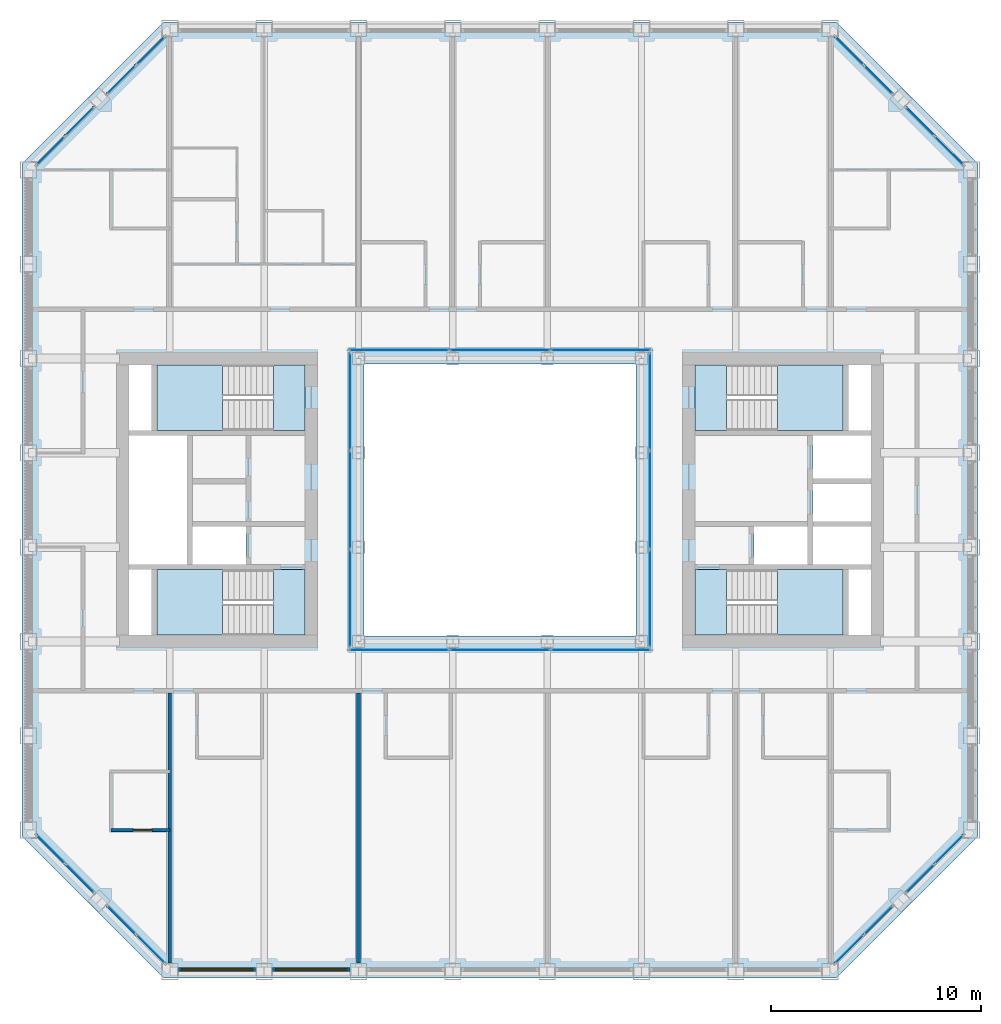
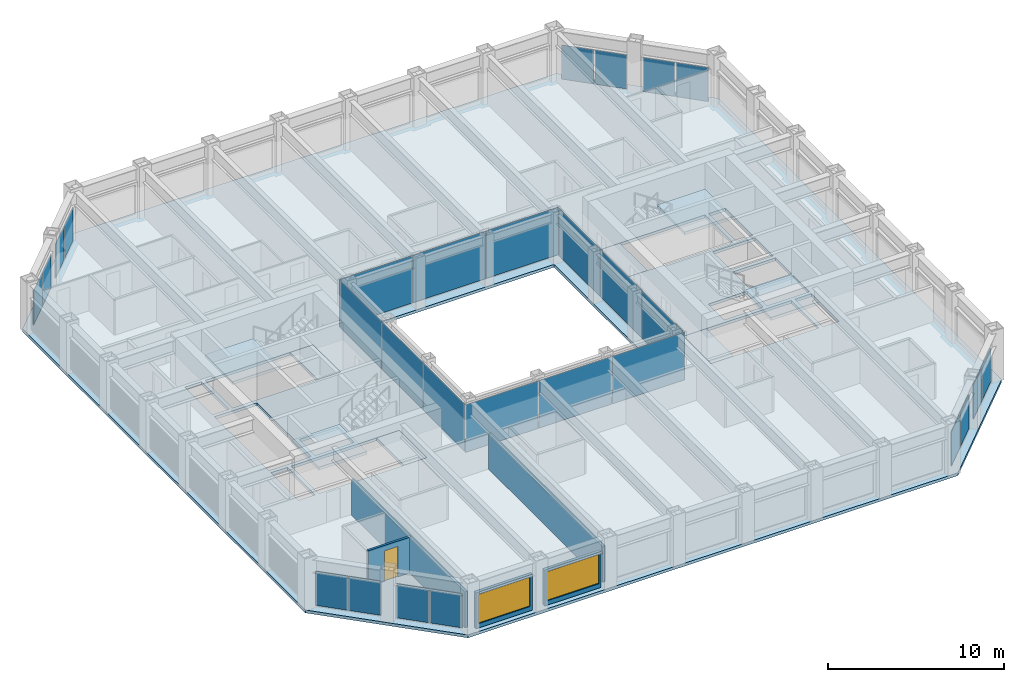
# One storey, part 9 of 17: 28 plates, 9 slabs, 5 walls, 2 windows, 1 door, 3 openings, 16 elements without a shape of their own.
"""IFC4 building model written with IfcOpenShell, lengths in metres."""

import ifcopenshell
import ifcopenshell.guid

model = None  # the IFC model being written
_history = None  # IfcOwnerHistory: only IFC2X3 demands one
_inside = {}  # id of a spatial element -> (the spatial element, [elements in it])
_under = {}  # id of a project, library or spatial element -> (it, [spatial elements below it])
_declared = {}  # id of a project -> (the project, [libraries it declares])
_typed = {}  # id of a type object -> (the type object, [elements of that type])
_made_of = {}  # id of a material, layer set ... -> (it, [elements and type objects made of it])


def new_model(schema):
    """Start an empty IFC model of exactly this schema.

    Asked for "IFC4X3", IfcOpenShell would pick the latest addendum, in which some entities
    have other attributes; the version numbers below select the first issue.
    IFC2X3 requires an IfcOwnerHistory on every rooted entity: one is made here for all.
    """
    global model, _history
    if schema == "IFC4X3":
        model = ifcopenshell.file(schema_version=(4, 3, 0, 0))
    else:
        model = ifcopenshell.file(schema=schema)
    _inside.clear()
    _under.clear()
    _declared.clear()
    _typed.clear()
    _made_of.clear()
    _history = None
    if model.schema == "IFC2X3":
        org = make("IfcOrganization", Name="unknown")
        user = make(
            "IfcPersonAndOrganization",
            ThePerson=make("IfcPerson", FamilyName="unknown"),
            TheOrganization=org,
        )
        app = make(
            "IfcApplication",
            ApplicationDeveloper=org,
            Version="unknown",
            ApplicationFullName="unknown",
            ApplicationIdentifier="unknown",
        )
        _history = make(
            "IfcOwnerHistory",
            OwningUser=user,
            OwningApplication=app,
            ChangeAction="ADDED",
            CreationDate=0,
        )
    return model


def make(cls, **values):
    """One entity of the class cls with the attributes given. An attribute that is None is left unset."""
    return model.create_entity(
        cls, **{name: value for name, value in values.items() if value is not None}
    )


def rooted(cls, **values):
    """An entity with a GlobalId (a new one), such as an element, a storey or a relation."""
    return make(cls, GlobalId=ifcopenshell.guid.new(), OwnerHistory=_history, **values)


def si_unit(unit_type, name, prefix=None):
    """IfcSIUnit, for example si_unit("LENGTHUNIT", "METRE", prefix="MILLI")."""
    return make("IfcSIUnit", UnitType=unit_type, Prefix=prefix, Name=name)


def assignment(units):
    """IfcUnitAssignment: the units of a project."""
    return None if units is None else make("IfcUnitAssignment", Units=units)


def point(xyz):
    """IfcCartesianPoint."""
    return None if xyz is None else make("IfcCartesianPoint", Coordinates=xyz)


def direction(xyz):
    """IfcDirection."""
    return None if xyz is None else make("IfcDirection", DirectionRatios=xyz)


def frame(location, z_axis=None, x_axis=None):
    """IfcAxis2Placement3D, a coordinate frame: its origin and axes. An axis left out is left unset."""
    return make(
        "IfcAxis2Placement3D",
        Location=point(location),
        Axis=direction(z_axis),
        RefDirection=direction(x_axis),
    )


def frame_2d(location, x_axis=None):
    """IfcAxis2Placement2D, a coordinate frame in the plane: its origin and x axis."""
    return make(
        "IfcAxis2Placement2D", Location=point(location), RefDirection=direction(x_axis)
    )


def origin():
    """The frame at (0, 0, 0) with its axes left unset."""
    return frame((0.0, 0.0, 0.0))


def origin_2d():
    """The frame at (0, 0) in the plane with its x axis left unset."""
    return frame_2d((0.0, 0.0))


def place(relative_to, where):
    """IfcLocalPlacement: puts the frame where relative to a parent placement (None: the world)."""
    return make(
        "IfcLocalPlacement", PlacementRelTo=relative_to, RelativePlacement=where
    )


def context(
    kind, dimensions, precision=None, world=None, true_north=None, identifier=None
):
    """IfcGeometricRepresentationContext, for example the 3D "Model" context."""
    return make(
        "IfcGeometricRepresentationContext",
        ContextIdentifier=identifier,
        ContextType=kind,
        CoordinateSpaceDimension=dimensions,
        Precision=precision,
        WorldCoordinateSystem=world,
        TrueNorth=true_north,
    )


def subcontext(parent, identifier, kind, view, scale=None):
    """IfcGeometricRepresentationSubContext, for example "Body" below "Model"."""
    return make(
        "IfcGeometricRepresentationSubContext",
        ContextIdentifier=identifier,
        ContextType=kind,
        ParentContext=parent,
        TargetScale=scale,
        TargetView=view,
    )


def project(units=None, contexts=None):
    """IfcProject with its units and contexts."""
    return rooted(
        "IfcProject",
        Name="project",
        RepresentationContexts=contexts,
        UnitsInContext=assignment(units),
    )


def spatial(cls, under=None, at=None, **own):
    """A site, building, storey or space (cls), placed at a placement, below another one or the project."""
    s = rooted(cls, ObjectPlacement=at, **own)
    if under is not None:
        _under.setdefault(under.id(), (under, []))[1].append(s)
    return s


def polyline(points):
    """IfcPolyline through the points."""
    return make("IfcPolyline", Points=[point(p) for p in points])


def profile(cls, at=None, kind="AREA", **sizes):
    """A parametric profile (cls). Its sizes go by their IFC names, for example OverallWidth=200.0."""
    return make(cls, ProfileType=kind, Position=at, **sizes)


def rectangle(**sizes):
    """IfcRectangleProfileDef."""
    return profile("IfcRectangleProfileDef", **sizes)


def outline(outer, holes=None, kind="AREA"):
    """IfcArbitraryClosedProfileDef: a profile drawn as a closed curve; with holes, ...WithVoids."""
    if holes is None:
        return make("IfcArbitraryClosedProfileDef", ProfileType=kind, OuterCurve=outer)
    return make(
        "IfcArbitraryProfileDefWithVoids",
        ProfileType=kind,
        OuterCurve=outer,
        InnerCurves=holes,
    )


def extrude(swept, where, along, depth):
    """IfcExtrudedAreaSolid: the profile swept, set in the frame where, extruded along a direction by depth."""
    return make(
        "IfcExtrudedAreaSolid",
        SweptArea=swept,
        Position=where,
        ExtrudedDirection=direction(along),
        Depth=depth,
    )


def shape(context_of_items, identifier, shape_type, items):
    """IfcShapeRepresentation: the items that make up one representation, for example the "Body"."""
    return make(
        "IfcShapeRepresentation",
        ContextOfItems=context_of_items,
        RepresentationIdentifier=identifier,
        RepresentationType=shape_type,
        Items=items,
    )


def material(Name=None, Category=None):
    """IfcMaterial."""
    return make("IfcMaterial", Name=Name, Category=Category)


def layer(
    of_material, thickness, ventilated=None, Name=None, Category=None, Priority=None
):
    """IfcMaterialLayer: one layer of a wall or slab, of a material (None: an air gap)."""
    return make(
        "IfcMaterialLayer",
        Material=of_material,
        LayerThickness=thickness,
        IsVentilated=ventilated,
        Name=Name,
        Category=Category,
        Priority=Priority,
    )


def layer_set(layers, Name=None):
    """IfcMaterialLayerSet."""
    return make("IfcMaterialLayerSet", MaterialLayers=layers, LayerSetName=Name)


def made_of(thing, what):
    """Note that an element or type object is made of a material, layer set ...; save() writes the relation."""
    if what is not None:
        _made_of.setdefault(what.id(), (what, []))[1].append(thing)
    return thing


def type_object(cls, material=None, **own):
    """A type object (cls), such as IfcWallType, which elements share."""
    return made_of(rooted(cls, **own), material)


def element(
    cls,
    number,
    at=None,
    inside=None,
    cuts=None,
    type_object=None,
    material=None,
    context=None,
    identifier="Body",
    shape_type=None,
    held_by="IfcProductDefinitionShape",
    body=None,
    shapes=None,
    **own,
):
    """One element of the class cls, such as IfcWall. Its Tag is "e" and its number.

    at: its placement. inside: the storey or other place that contains it. cuts: it is an
    opening in that element (IfcRelVoidsElement). A single representation is given by context,
    identifier, shape_type and body (its items); several are given by shapes. held_by: the class
    of the entity that holds the representations. save() writes the other relations.
    """
    e = rooted(cls, Tag="e%d" % number, ObjectPlacement=at, **own)
    if body is not None:
        shapes = [shape(context, identifier, shape_type, body)]
    if shapes is not None:
        e.Representation = make(held_by, Representations=shapes)
    if inside is not None:
        _inside.setdefault(inside.id(), (inside, []))[1].append(e)
    if cuts is not None:
        rooted(
            "IfcRelVoidsElement", RelatingBuildingElement=cuts, RelatedOpeningElement=e
        )
    if type_object is not None:
        _typed.setdefault(type_object.id(), (type_object, []))[1].append(e)
    return made_of(e, material)


def fill(opening, filler):
    """IfcRelFillsElement: the door or window that sits in an opening."""
    return rooted(
        "IfcRelFillsElement",
        RelatingOpeningElement=opening,
        RelatedBuildingElement=filler,
    )


def aggregate(whole, parts):
    """IfcRelAggregates: a whole, such as a stair, and the parts it consists of."""
    return rooted("IfcRelAggregates", RelatingObject=whole, RelatedObjects=parts)


def save(model, path):
    """Write the relations noted so far, then the file.

    IfcRelAggregates (storeys below a building ...), IfcRelContainedInSpatialStructure (elements
    in a storey), IfcRelDefinesByType, IfcRelAssociatesMaterial and IfcRelDeclares: one each for
    every whole, place, type object, material and project.
    """
    for whole, parts in _under.values():
        aggregate(whole, parts)
    for where, things in _inside.values():
        rooted(
            "IfcRelContainedInSpatialStructure",
            RelatedElements=things,
            RelatingStructure=where,
        )
    for kind, things in _typed.values():
        rooted("IfcRelDefinesByType", RelatedObjects=things, RelatingType=kind)
    for what, things in _made_of.values():
        rooted("IfcRelAssociatesMaterial", RelatedObjects=things, RelatingMaterial=what)
    for by, libraries in _declared.values():
        rooted("IfcRelDeclares", RelatingContext=by, RelatedDefinitions=libraries)
    model.write(path)


model = new_model("IFC4")

# Units and contexts
model_context = context("Model", 3, precision=1e-05, world=origin(), true_north=direction((0.0, 1.0)))
body_context = subcontext(model_context, "Body", "Model", "MODEL_VIEW")
ifc_project = project(units=[si_unit("LENGTHUNIT", "METRE"), si_unit("AREAUNIT", "SQUARE_METRE"), si_unit("VOLUMEUNIT", "CUBIC_METRE"), si_unit("PLANEANGLEUNIT", "RADIAN"), si_unit("MASSUNIT", "GRAM", prefix="KILO")], contexts=[model_context])

# Site, building, storey
site_placement = place(None, origin())
site = spatial("IfcSite", under=ifc_project, at=site_placement, CompositionType="ELEMENT")
building_placement = place(site_placement, origin())
building = spatial("IfcBuilding", under=site, at=building_placement, Name="Msasa Ring Tower", CompositionType="ELEMENT")
storey_placement = place(building_placement, frame((0.0, 0.0, 179.60009765625)))
storey = spatial("IfcBuildingStorey", under=building, at=storey_placement, Name="L47", CompositionType="ELEMENT", Elevation=179.60009765625)

# Curtain wall, plates
ifc_material_1 = material(Name="Aluminium curtain wall with clear glass", Category="aluminium")
curtain_wall_type_1 = type_object("IfcCurtainWallType", Name="CW-C CHAMFER CORNER CURTAIN WALL", PredefinedType="NOTDEFINED", material=ifc_material_1)
curtain_wall_1_placement = place(storey_placement, origin())
curtain_wall_1 = element("IfcCurtainWall", 1, at=curtain_wall_1_placement, inside=storey, type_object=curtain_wall_type_1, Name="Chamfer corner curtain wall SE L47", PredefinedType="NOTDEFINED")
ifc_material_2 = material(Name="Clear laminated insulating glass unit", Category="glass")
ifc_layer_1 = layer(ifc_material_2, 0.031982421875)
ifc_layer_set_1 = layer_set([ifc_layer_1], Name="CW-C GLASS PANEL 32")
plate_type_1 = type_object("IfcPlateType", Name="CW-C GLASS PANEL 32", PredefinedType="CURTAIN_PANEL", material=ifc_layer_set_1)
plate_1_placement = place(storey_placement, frame((16.677734375, -21.430908203125, 0.06494140625), z_axis=(0.0, 0.0, 1.0), x_axis=(0.707106781187, 0.707106781187, 0.0)))
plate_1 = element("IfcPlate", 2, at=plate_1_placement, type_object=plate_type_1, Name="CW-C panel 1.1", PredefinedType="CURTAIN_PANEL", context=body_context, shape_type="SweptSolid", body=[
    extrude(rectangle(XDim=1.884033203125, YDim=0.031982421875, at=origin_2d()), origin(), (0.0, 0.0, 1.0), 2.34912109375),
])
plate_2_placement = place(storey_placement, frame((18.055908203125, -20.052734375, 0.06494140625), z_axis=(0.0, 0.0, 1.0), x_axis=(0.707106781187, 0.707106781187, 0.0)))
plate_2 = element("IfcPlate", 3, at=plate_2_placement, type_object=plate_type_1, Name="CW-C panel 2.1", PredefinedType="CURTAIN_PANEL", context=body_context, shape_type="SweptSolid", body=[
    extrude(rectangle(XDim=1.884033203125, YDim=0.031982421875, at=origin_2d()), origin(), (0.0, 0.0, 1.0), 2.34912109375),
])
aggregate(curtain_wall_1, [plate_1, plate_2])

curtain_wall_2_placement = place(storey_placement, origin())
curtain_wall_2 = element("IfcCurtainWall", 4, at=curtain_wall_2_placement, inside=storey, type_object=curtain_wall_type_1, Name="Chamfer corner curtain wall SE L47", PredefinedType="NOTDEFINED")
plate_3_placement = place(storey_placement, frame((20.052734375, -18.055908203125, 0.06494140625), z_axis=(0.0, 0.0, 1.0), x_axis=(0.707106781187, 0.707106781187, 0.0)))
plate_3 = element("IfcPlate", 5, at=plate_3_placement, type_object=plate_type_1, Name="CW-C panel 1.1", PredefinedType="CURTAIN_PANEL", context=body_context, shape_type="SweptSolid", body=[
    extrude(rectangle(XDim=1.884033203125, YDim=0.031982421875, at=origin_2d()), origin(), (0.0, 0.0, 1.0), 2.34912109375),
])
plate_4_placement = place(storey_placement, frame((21.430908203125, -16.677734375, 0.06494140625), z_axis=(0.0, 0.0, 1.0), x_axis=(0.707106781187, 0.707106781187, 0.0)))
plate_4 = element("IfcPlate", 6, at=plate_4_placement, type_object=plate_type_1, Name="CW-C panel 2.1", PredefinedType="CURTAIN_PANEL", context=body_context, shape_type="SweptSolid", body=[
    extrude(rectangle(XDim=1.884033203125, YDim=0.031982421875, at=origin_2d()), origin(), (0.0, 0.0, 1.0), 2.34912109375),
])
aggregate(curtain_wall_2, [plate_3, plate_4])

curtain_wall_3_placement = place(storey_placement, origin())
curtain_wall_3 = element("IfcCurtainWall", 7, at=curtain_wall_3_placement, inside=storey, type_object=curtain_wall_type_1, Name="Chamfer corner curtain wall NE L47", PredefinedType="NOTDEFINED")
plate_5_placement = place(storey_placement, frame((18.055908203125, 20.052734375, 0.06494140625), z_axis=(0.0, 0.0, 1.0), x_axis=(-0.707106781187, 0.707106781187, 0.0)))
plate_5 = element("IfcPlate", 8, at=plate_5_placement, type_object=plate_type_1, Name="CW-C panel 1.1", PredefinedType="CURTAIN_PANEL", context=body_context, shape_type="SweptSolid", body=[
    extrude(rectangle(XDim=1.884033203125, YDim=0.031982421875, at=origin_2d()), origin(), (0.0, 0.0, 1.0), 2.34912109375),
])
plate_6_placement = place(storey_placement, frame((16.677734375, 21.430908203125, 0.06494140625), z_axis=(0.0, 0.0, 1.0), x_axis=(-0.707106781187, 0.707106781187, 0.0)))
plate_6 = element("IfcPlate", 9, at=plate_6_placement, type_object=plate_type_1, Name="CW-C panel 2.1", PredefinedType="CURTAIN_PANEL", context=body_context, shape_type="SweptSolid", body=[
    extrude(rectangle(XDim=1.884033203125, YDim=0.031982421875, at=origin_2d()), origin(), (0.0, 0.0, 1.0), 2.34912109375),
])
aggregate(curtain_wall_3, [plate_5, plate_6])

curtain_wall_4_placement = place(storey_placement, origin())
curtain_wall_4 = element("IfcCurtainWall", 10, at=curtain_wall_4_placement, inside=storey, type_object=curtain_wall_type_1, Name="Chamfer corner curtain wall NE L47", PredefinedType="NOTDEFINED")
plate_7_placement = place(storey_placement, frame((21.430908203125, 16.677734375, 0.06494140625), z_axis=(0.0, 0.0, 1.0), x_axis=(-0.707106781187, 0.707106781187, 0.0)))
plate_7 = element("IfcPlate", 11, at=plate_7_placement, type_object=plate_type_1, Name="CW-C panel 1.1", PredefinedType="CURTAIN_PANEL", context=body_context, shape_type="SweptSolid", body=[
    extrude(rectangle(XDim=1.884033203125, YDim=0.031982421875, at=origin_2d()), origin(), (0.0, 0.0, 1.0), 2.34912109375),
])
plate_8_placement = place(storey_placement, frame((20.052734375, 18.055908203125, 0.06494140625), z_axis=(0.0, 0.0, 1.0), x_axis=(-0.707106781187, 0.707106781187, 0.0)))
plate_8 = element("IfcPlate", 12, at=plate_8_placement, type_object=plate_type_1, Name="CW-C panel 2.1", PredefinedType="CURTAIN_PANEL", context=body_context, shape_type="SweptSolid", body=[
    extrude(rectangle(XDim=1.884033203125, YDim=0.031982421875, at=origin_2d()), origin(), (0.0, 0.0, 1.0), 2.34912109375),
])
aggregate(curtain_wall_4, [plate_7, plate_8])

curtain_wall_5_placement = place(storey_placement, origin())
curtain_wall_5 = element("IfcCurtainWall", 13, at=curtain_wall_5_placement, inside=storey, type_object=curtain_wall_type_1, Name="Chamfer corner curtain wall NW L47", PredefinedType="NOTDEFINED")
plate_9_placement = place(storey_placement, frame((-20.052734375, 18.055908203125, 0.06494140625), z_axis=(0.0, 0.0, 1.0), x_axis=(-0.707106781187, -0.707106781187, 0.0)))
plate_9 = element("IfcPlate", 14, at=plate_9_placement, type_object=plate_type_1, Name="CW-C panel 1.1", PredefinedType="CURTAIN_PANEL", context=body_context, shape_type="SweptSolid", body=[
    extrude(rectangle(XDim=1.884033203125, YDim=0.031982421875, at=origin_2d()), origin(), (0.0, 0.0, 1.0), 2.34912109375),
])
plate_10_placement = place(storey_placement, frame((-21.430908203125, 16.677734375, 0.06494140625), z_axis=(0.0, 0.0, 1.0), x_axis=(-0.707106781187, -0.707106781187, 0.0)))
plate_10 = element("IfcPlate", 15, at=plate_10_placement, type_object=plate_type_1, Name="CW-C panel 2.1", PredefinedType="CURTAIN_PANEL", context=body_context, shape_type="SweptSolid", body=[
    extrude(rectangle(XDim=1.884033203125, YDim=0.031982421875, at=origin_2d()), origin(), (0.0, 0.0, 1.0), 2.34912109375),
])
aggregate(curtain_wall_5, [plate_9, plate_10])

curtain_wall_6_placement = place(storey_placement, origin())
curtain_wall_6 = element("IfcCurtainWall", 16, at=curtain_wall_6_placement, inside=storey, type_object=curtain_wall_type_1, Name="Chamfer corner curtain wall NW L47", PredefinedType="NOTDEFINED")
plate_11_placement = place(storey_placement, frame((-16.677734375, 21.430908203125, 0.06494140625), z_axis=(0.0, 0.0, 1.0), x_axis=(-0.707106781187, -0.707106781187, 0.0)))
plate_11 = element("IfcPlate", 17, at=plate_11_placement, type_object=plate_type_1, Name="CW-C panel 1.1", PredefinedType="CURTAIN_PANEL", context=body_context, shape_type="SweptSolid", body=[
    extrude(rectangle(XDim=1.884033203125, YDim=0.031982421875, at=origin_2d()), origin(), (0.0, 0.0, 1.0), 2.34912109375),
])
plate_12_placement = place(storey_placement, frame((-18.055908203125, 20.052734375, 0.06494140625), z_axis=(0.0, 0.0, 1.0), x_axis=(-0.707106781187, -0.707106781187, 0.0)))
plate_12 = element("IfcPlate", 18, at=plate_12_placement, type_object=plate_type_1, Name="CW-C panel 2.1", PredefinedType="CURTAIN_PANEL", context=body_context, shape_type="SweptSolid", body=[
    extrude(rectangle(XDim=1.884033203125, YDim=0.031982421875, at=origin_2d()), origin(), (0.0, 0.0, 1.0), 2.34912109375),
])
aggregate(curtain_wall_6, [plate_11, plate_12])

curtain_wall_7_placement = place(storey_placement, origin())
curtain_wall_7 = element("IfcCurtainWall", 19, at=curtain_wall_7_placement, inside=storey, type_object=curtain_wall_type_1, Name="Chamfer corner curtain wall SW L47", PredefinedType="NOTDEFINED")
plate_13_placement = place(storey_placement, frame((-21.430908203125, -16.677734375, 0.06494140625), z_axis=(0.0, 0.0, 1.0), x_axis=(0.707106781187, -0.707106781187, 0.0)))
plate_13 = element("IfcPlate", 20, at=plate_13_placement, type_object=plate_type_1, Name="CW-C panel 1.1", PredefinedType="CURTAIN_PANEL", context=body_context, shape_type="SweptSolid", body=[
    extrude(rectangle(XDim=1.884033203125, YDim=0.031982421875, at=origin_2d()), origin(), (0.0, 0.0, 1.0), 2.34912109375),
])
plate_14_placement = place(storey_placement, frame((-20.052734375, -18.055908203125, 0.06494140625), z_axis=(0.0, 0.0, 1.0), x_axis=(0.707106781187, -0.707106781187, 0.0)))
plate_14 = element("IfcPlate", 21, at=plate_14_placement, type_object=plate_type_1, Name="CW-C panel 2.1", PredefinedType="CURTAIN_PANEL", context=body_context, shape_type="SweptSolid", body=[
    extrude(rectangle(XDim=1.884033203125, YDim=0.031982421875, at=origin_2d()), origin(), (0.0, 0.0, 1.0), 2.34912109375),
])
aggregate(curtain_wall_7, [plate_13, plate_14])

curtain_wall_8_placement = place(storey_placement, origin())
curtain_wall_8 = element("IfcCurtainWall", 22, at=curtain_wall_8_placement, inside=storey, type_object=curtain_wall_type_1, Name="Chamfer corner curtain wall SW L47", PredefinedType="NOTDEFINED")
plate_15_placement = place(storey_placement, frame((-18.055908203125, -20.052734375, 0.06494140625), z_axis=(0.0, 0.0, 1.0), x_axis=(0.707106781187, -0.707106781187, 0.0)))
plate_15 = element("IfcPlate", 23, at=plate_15_placement, type_object=plate_type_1, Name="CW-C panel 1.1", PredefinedType="CURTAIN_PANEL", context=body_context, shape_type="SweptSolid", body=[
    extrude(rectangle(XDim=1.884033203125, YDim=0.031982421875, at=origin_2d()), origin(), (0.0, 0.0, 1.0), 2.34912109375),
])
plate_16_placement = place(storey_placement, frame((-16.677734375, -21.430908203125, 0.06494140625), z_axis=(0.0, 0.0, 1.0), x_axis=(0.707106781187, -0.707106781187, 0.0)))
plate_16 = element("IfcPlate", 24, at=plate_16_placement, type_object=plate_type_1, Name="CW-C panel 2.1", PredefinedType="CURTAIN_PANEL", context=body_context, shape_type="SweptSolid", body=[
    extrude(rectangle(XDim=1.884033203125, YDim=0.031982421875, at=origin_2d()), origin(), (0.0, 0.0, 1.0), 2.34912109375),
])
aggregate(curtain_wall_8, [plate_15, plate_16])

ifc_material_3 = material(Name="Aluminium curtain wall with clear glass", Category="aluminium")
curtain_wall_type_2 = type_object("IfcCurtainWallType", Name="CW-W LIGHT WELL CURTAIN WALL", PredefinedType="NOTDEFINED", material=ifc_material_3)
curtain_wall_9_placement = place(storey_placement, origin())
curtain_wall_9 = element("IfcCurtainWall", 25, at=curtain_wall_9_placement, inside=storey, type_object=curtain_wall_type_2, Name="Light well curtain wall N L47", PredefinedType="NOTDEFINED")
ifc_material_4 = material(Name="Clear laminated insulating glass unit", Category="glass")
ifc_layer_2 = layer(ifc_material_4, 0.028076171875)
ifc_layer_set_2 = layer_set([ifc_layer_2], Name="CW-W GLASS PANEL 28")
plate_type_2 = type_object("IfcPlateType", Name="CW-W GLASS PANEL 28", PredefinedType="CURTAIN_PANEL", material=ifc_layer_set_2)
plate_17_placement = place(storey_placement, frame((-4.804931640625, 7.14990234375, 0.06005859375), z_axis=(0.0, 0.0, 1.0), x_axis=(1.0, 0.0, 0.0)))
plate_17 = element("IfcPlate", 26, at=plate_17_placement, type_object=plate_type_2, Name="CW-W panel 1.1", PredefinedType="CURTAIN_PANEL", context=body_context, shape_type="SweptSolid", body=[
    extrude(rectangle(XDim=4.72998046875, YDim=0.028076171875, at=origin_2d()), origin(), (0.0, 0.0, 1.0), 3.280029296875),
])
plate_18_placement = place(storey_placement, frame((0.0, 7.14990234375, 0.06005859375), z_axis=(0.0, 0.0, 1.0), x_axis=(1.0, 0.0, 0.0)))
plate_18 = element("IfcPlate", 27, at=plate_18_placement, type_object=plate_type_2, Name="CW-W panel 2.1", PredefinedType="CURTAIN_PANEL", context=body_context, shape_type="SweptSolid", body=[
    extrude(rectangle(XDim=4.760009765625, YDim=0.028076171875, at=origin_2d()), origin(), (0.0, 0.0, 1.0), 3.280029296875),
])
plate_19_placement = place(storey_placement, frame((4.804931640625, 7.14990234375, 0.06005859375), z_axis=(0.0, 0.0, 1.0), x_axis=(1.0, 0.0, 0.0)))
plate_19 = element("IfcPlate", 28, at=plate_19_placement, type_object=plate_type_2, Name="CW-W panel 3.1", PredefinedType="CURTAIN_PANEL", context=body_context, shape_type="SweptSolid", body=[
    extrude(rectangle(XDim=4.72998046875, YDim=0.028076171875, at=origin_2d()), origin(), (0.0, 0.0, 1.0), 3.280029296875),
])
aggregate(curtain_wall_9, [plate_17, plate_18, plate_19])

curtain_wall_10_placement = place(storey_placement, origin())
curtain_wall_10 = element("IfcCurtainWall", 29, at=curtain_wall_10_placement, inside=storey, type_object=curtain_wall_type_2, Name="Light well curtain wall S L47", PredefinedType="NOTDEFINED")
plate_20_placement = place(storey_placement, frame((-4.804931640625, -7.14990234375, 0.06005859375), z_axis=(0.0, 0.0, 1.0), x_axis=(1.0, 0.0, 0.0)))
plate_20 = element("IfcPlate", 30, at=plate_20_placement, type_object=plate_type_2, Name="CW-W panel 1.1", PredefinedType="CURTAIN_PANEL", context=body_context, shape_type="SweptSolid", body=[
    extrude(rectangle(XDim=4.72998046875, YDim=0.028076171875, at=origin_2d()), origin(), (0.0, 0.0, 1.0), 3.280029296875),
])
plate_21_placement = place(storey_placement, frame((0.0, -7.14990234375, 0.06005859375), z_axis=(0.0, 0.0, 1.0), x_axis=(1.0, 0.0, 0.0)))
plate_21 = element("IfcPlate", 31, at=plate_21_placement, type_object=plate_type_2, Name="CW-W panel 2.1", PredefinedType="CURTAIN_PANEL", context=body_context, shape_type="SweptSolid", body=[
    extrude(rectangle(XDim=4.760009765625, YDim=0.028076171875, at=origin_2d()), origin(), (0.0, 0.0, 1.0), 3.280029296875),
])
plate_22_placement = place(storey_placement, frame((4.804931640625, -7.14990234375, 0.06005859375), z_axis=(0.0, 0.0, 1.0), x_axis=(1.0, 0.0, 0.0)))
plate_22 = element("IfcPlate", 32, at=plate_22_placement, type_object=plate_type_2, Name="CW-W panel 3.1", PredefinedType="CURTAIN_PANEL", context=body_context, shape_type="SweptSolid", body=[
    extrude(rectangle(XDim=4.72998046875, YDim=0.028076171875, at=origin_2d()), origin(), (0.0, 0.0, 1.0), 3.280029296875),
])
aggregate(curtain_wall_10, [plate_20, plate_21, plate_22])

curtain_wall_11_placement = place(storey_placement, origin())
curtain_wall_11 = element("IfcCurtainWall", 33, at=curtain_wall_11_placement, inside=storey, type_object=curtain_wall_type_2, Name="Light well curtain wall E L47", PredefinedType="NOTDEFINED")
plate_23_placement = place(storey_placement, frame((7.14990234375, -4.6982421875, 0.06005859375), z_axis=(0.0, 0.0, 1.0), x_axis=(0.0, 1.0, 0.0)))
plate_23 = element("IfcPlate", 34, at=plate_23_placement, type_object=plate_type_2, Name="CW-W panel 1.1", PredefinedType="CURTAIN_PANEL", context=body_context, shape_type="SweptSolid", body=[
    extrude(rectangle(XDim=4.623291015625, YDim=0.028076171875, at=origin_2d()), origin(), (0.0, 0.0, 1.0), 3.280029296875),
])
plate_24_placement = place(storey_placement, frame((7.14990234375, 0.0, 0.06005859375), z_axis=(0.0, 0.0, 1.0), x_axis=(0.0, 1.0, 0.0)))
plate_24 = element("IfcPlate", 35, at=plate_24_placement, type_object=plate_type_2, Name="CW-W panel 2.1", PredefinedType="CURTAIN_PANEL", context=body_context, shape_type="SweptSolid", body=[
    extrude(rectangle(XDim=4.6533203125, YDim=0.028076171875, at=origin_2d()), origin(), (0.0, 0.0, 1.0), 3.280029296875),
])
plate_25_placement = place(storey_placement, frame((7.14990234375, 4.6982421875, 0.06005859375), z_axis=(0.0, 0.0, 1.0), x_axis=(0.0, 1.0, 0.0)))
plate_25 = element("IfcPlate", 36, at=plate_25_placement, type_object=plate_type_2, Name="CW-W panel 3.1", PredefinedType="CURTAIN_PANEL", context=body_context, shape_type="SweptSolid", body=[
    extrude(rectangle(XDim=4.623291015625, YDim=0.028076171875, at=origin_2d()), origin(), (0.0, 0.0, 1.0), 3.280029296875),
])
aggregate(curtain_wall_11, [plate_23, plate_24, plate_25])

curtain_wall_12_placement = place(storey_placement, origin())
curtain_wall_12 = element("IfcCurtainWall", 37, at=curtain_wall_12_placement, inside=storey, type_object=curtain_wall_type_2, Name="Light well curtain wall W L47", PredefinedType="NOTDEFINED")
plate_26_placement = place(storey_placement, frame((-7.14990234375, -4.6982421875, 0.06005859375), z_axis=(0.0, 0.0, 1.0), x_axis=(0.0, 1.0, 0.0)))
plate_26 = element("IfcPlate", 38, at=plate_26_placement, type_object=plate_type_2, Name="CW-W panel 1.1", PredefinedType="CURTAIN_PANEL", context=body_context, shape_type="SweptSolid", body=[
    extrude(rectangle(XDim=4.623291015625, YDim=0.028076171875, at=origin_2d()), origin(), (0.0, 0.0, 1.0), 3.280029296875),
])
plate_27_placement = place(storey_placement, frame((-7.14990234375, 0.0, 0.06005859375), z_axis=(0.0, 0.0, 1.0), x_axis=(0.0, 1.0, 0.0)))
plate_27 = element("IfcPlate", 39, at=plate_27_placement, type_object=plate_type_2, Name="CW-W panel 2.1", PredefinedType="CURTAIN_PANEL", context=body_context, shape_type="SweptSolid", body=[
    extrude(rectangle(XDim=4.6533203125, YDim=0.028076171875, at=origin_2d()), origin(), (0.0, 0.0, 1.0), 3.280029296875),
])
plate_28_placement = place(storey_placement, frame((-7.14990234375, 4.6982421875, 0.06005859375), z_axis=(0.0, 0.0, 1.0), x_axis=(0.0, 1.0, 0.0)))
plate_28 = element("IfcPlate", 40, at=plate_28_placement, type_object=plate_type_2, Name="CW-W panel 3.1", PredefinedType="CURTAIN_PANEL", context=body_context, shape_type="SweptSolid", body=[
    extrude(rectangle(XDim=4.623291015625, YDim=0.028076171875, at=origin_2d()), origin(), (0.0, 0.0, 1.0), 3.280029296875),
])
aggregate(curtain_wall_12, [plate_26, plate_27, plate_28])

# Stair, slabs
ifc_material_5 = material(Name="Concrete C40/50", Category="concrete")
stair_type = type_object("IfcStairType", Name="STC CORE STAIR 20 RISERS 180", PredefinedType="HALF_TURN_STAIR", material=ifc_material_5)
stair_1_placement = place(storey_placement, origin())
stair_1 = element("IfcStair", 41, at=stair_1_placement, inside=storey, type_object=stair_type, Name="Core stair SEA L47", PredefinedType="HALF_TURN_STAIR")
ifc_material_6 = material(Name="Concrete C40/50", Category="concrete")
ifc_layer_3 = layer(ifc_material_6, 0.199951171875)
ifc_layer_set_3 = layer_set([ifc_layer_3], Name="LD1 CORE STAIR LANDING 200")
slab_type_1 = type_object("IfcSlabType", Name="LD1 CORE STAIR LANDING 200", PredefinedType="LANDING", material=ifc_layer_set_3)
slab_1_placement = place(storey_placement, frame((0.0, 0.0, -0.2001953125)))
slab_1 = element("IfcSlab", 42, at=slab_1_placement, type_object=slab_type_1, Name="SEA landing 1", PredefinedType="LANDING", context=body_context, shape_type="SweptSolid", body=[
    extrude(outline(polyline([(9.300048828125, -6.449951171875), (10.800048828125, -6.449951171875), (10.800048828125, -3.324951171875), (9.300048828125, -3.324951171875), (9.300048828125, -6.449951171875)])), origin(), (0.0, 0.0, 1.0), 0.2001953125),
])
slab_2_placement = place(storey_placement, frame((0.0, 0.0, 1.599853515625)))
slab_2 = element("IfcSlab", 43, at=slab_2_placement, type_object=slab_type_1, Name="SEA landing 2", PredefinedType="LANDING", context=body_context, shape_type="SweptSolid", body=[
    extrude(outline(polyline([(13.22998046875, -6.449951171875), (16.375, -6.449951171875), (16.375, -3.324951171875), (13.22998046875, -3.324951171875), (13.22998046875, -6.449951171875)])), origin(), (0.0, 0.0, 1.0), 0.199951171875),
])
aggregate(stair_1, [slab_1, slab_2])

stair_2_placement = place(storey_placement, origin())
stair_2 = element("IfcStair", 44, at=stair_2_placement, inside=storey, type_object=stair_type, Name="Core stair SEB L47", PredefinedType="HALF_TURN_STAIR")
slab_3_placement = place(storey_placement, frame((0.0, 0.0, -0.2001953125)))
slab_3 = element("IfcSlab", 45, at=slab_3_placement, type_object=slab_type_1, Name="SEB landing 1", PredefinedType="LANDING", context=body_context, shape_type="SweptSolid", body=[
    extrude(outline(polyline([(9.300048828125, 3.324951171875), (10.800048828125, 3.324951171875), (10.800048828125, 6.449951171875), (9.300048828125, 6.449951171875), (9.300048828125, 3.324951171875)])), origin(), (0.0, 0.0, 1.0), 0.2001953125),
])
slab_4_placement = place(storey_placement, frame((0.0, 0.0, 1.599853515625)))
slab_4 = element("IfcSlab", 46, at=slab_4_placement, type_object=slab_type_1, Name="SEB landing 2", PredefinedType="LANDING", context=body_context, shape_type="SweptSolid", body=[
    extrude(outline(polyline([(13.22998046875, 3.324951171875), (16.375, 3.324951171875), (16.375, 6.449951171875), (13.22998046875, 6.449951171875), (13.22998046875, 3.324951171875)])), origin(), (0.0, 0.0, 1.0), 0.199951171875),
])
aggregate(stair_2, [slab_3, slab_4])

stair_3_placement = place(storey_placement, origin())
stair_3 = element("IfcStair", 47, at=stair_3_placement, inside=storey, type_object=stair_type, Name="Core stair SWA L47", PredefinedType="HALF_TURN_STAIR")
slab_5_placement = place(storey_placement, frame((0.0, 0.0, -0.2001953125)))
slab_5 = element("IfcSlab", 48, at=slab_5_placement, type_object=slab_type_1, Name="SWA landing 1", PredefinedType="LANDING", context=body_context, shape_type="SweptSolid", body=[
    extrude(outline(polyline([(-10.800048828125, -6.449951171875), (-9.300048828125, -6.449951171875), (-9.300048828125, -3.324951171875), (-10.800048828125, -3.324951171875), (-10.800048828125, -6.449951171875)])), origin(), (0.0, 0.0, 1.0), 0.2001953125),
])
slab_6_placement = place(storey_placement, frame((0.0, 0.0, 1.599853515625)))
slab_6 = element("IfcSlab", 49, at=slab_6_placement, type_object=slab_type_1, Name="SWA landing 2", PredefinedType="LANDING", context=body_context, shape_type="SweptSolid", body=[
    extrude(outline(polyline([(-16.375, -6.449951171875), (-13.22998046875, -6.449951171875), (-13.22998046875, -3.324951171875), (-16.375, -3.324951171875), (-16.375, -6.449951171875)])), origin(), (0.0, 0.0, 1.0), 0.199951171875),
])
aggregate(stair_3, [slab_5, slab_6])

stair_4_placement = place(storey_placement, origin())
stair_4 = element("IfcStair", 50, at=stair_4_placement, inside=storey, type_object=stair_type, Name="Core stair SWB L47", PredefinedType="HALF_TURN_STAIR")
slab_7_placement = place(storey_placement, frame((0.0, 0.0, -0.2001953125)))
slab_7 = element("IfcSlab", 51, at=slab_7_placement, type_object=slab_type_1, Name="SWB landing 1", PredefinedType="LANDING", context=body_context, shape_type="SweptSolid", body=[
    extrude(outline(polyline([(-10.800048828125, 3.324951171875), (-9.300048828125, 3.324951171875), (-9.300048828125, 6.449951171875), (-10.800048828125, 6.449951171875), (-10.800048828125, 3.324951171875)])), origin(), (0.0, 0.0, 1.0), 0.2001953125),
])
slab_8_placement = place(storey_placement, frame((0.0, 0.0, 1.599853515625)))
slab_8 = element("IfcSlab", 52, at=slab_8_placement, type_object=slab_type_1, Name="SWB landing 2", PredefinedType="LANDING", context=body_context, shape_type="SweptSolid", body=[
    extrude(outline(polyline([(-16.375, 3.324951171875), (-13.22998046875, 3.324951171875), (-13.22998046875, 6.449951171875), (-16.375, 6.449951171875), (-16.375, 3.324951171875)])), origin(), (0.0, 0.0, 1.0), 0.199951171875),
])
aggregate(stair_4, [slab_7, slab_8])

# Slab
ifc_material_7 = material(Name="Concrete C40/50", Category="concrete")
ifc_layer_4 = layer(ifc_material_7, 0.199951171875)
ifc_layer_set_4 = layer_set([ifc_layer_4], Name="S6 GUEST FLOOR 200")
slab_type_2 = type_object("IfcSlabType", Name="S6 GUEST FLOOR 200", PredefinedType="FLOOR", material=ifc_layer_set_4)
slab_9_placement = place(storey_placement, frame((0.0, 0.0, -0.2001953125)))
element("IfcSlab", 53, at=slab_9_placement, inside=storey, type_object=slab_type_2, Name="Floor slab L47", PredefinedType="FLOOR", context=body_context, shape_type="SweptSolid", body=[
    extrude(outline(polyline([(-16.050048828125, -22.800048828125), (16.050048828125, -22.800048828125), (22.800048828125, -16.050048828125), (22.800048828125, 16.050048828125), (16.050048828125, 22.800048828125), (-16.050048828125, 22.800048828125), (-22.800048828125, 16.050048828125), (-22.800048828125, -16.050048828125), (-16.050048828125, -22.800048828125)]), holes=[polyline([(-6.5, -6.5), (6.5, -6.5), (6.5, 6.5), (-6.5, 6.5), (-6.5, -6.5)]), polyline([(9.300048828125, -6.449951171875), (16.375, -6.449951171875), (16.375, -3.324951171875), (9.300048828125, -3.324951171875), (9.300048828125, -6.449951171875)]), polyline([(9.300048828125, 3.324951171875), (16.375, 3.324951171875), (16.375, 6.449951171875), (9.300048828125, 6.449951171875), (9.300048828125, 3.324951171875)]), polyline([(12.125, -3.074951171875), (14.675048828125, -3.074951171875), (14.675048828125, -1.27490234375), (12.125, -1.27490234375), (12.125, -3.074951171875)]), polyline([(16.625, -6.449951171875), (17.699951171875, -6.449951171875), (17.699951171875, -3.324951171875), (16.625, -3.324951171875), (16.625, -6.449951171875)]), polyline([(16.625, 3.324951171875), (17.699951171875, 3.324951171875), (17.699951171875, 6.449951171875), (16.625, 6.449951171875), (16.625, 3.324951171875)]), polyline([(14.925048828125, -3.074951171875), (17.699951171875, -3.074951171875), (17.699951171875, -1.27490234375), (14.925048828125, -1.27490234375), (14.925048828125, -3.074951171875)]), polyline([(14.925048828125, -1.02490234375), (17.699951171875, -1.02490234375), (17.699951171875, 0.77490234375), (14.925048828125, 0.77490234375), (14.925048828125, -1.02490234375)]), polyline([(14.925048828125, 1.02490234375), (17.699951171875, 1.02490234375), (17.699951171875, 3.074951171875), (14.925048828125, 3.074951171875), (14.925048828125, 1.02490234375)]), polyline([(-16.375, -6.449951171875), (-9.300048828125, -6.449951171875), (-9.300048828125, -3.324951171875), (-16.375, -3.324951171875), (-16.375, -6.449951171875)]), polyline([(-16.375, 3.324951171875), (-9.300048828125, 3.324951171875), (-9.300048828125, 6.449951171875), (-16.375, 6.449951171875), (-16.375, 3.324951171875)]), polyline([(-14.675048828125, -3.074951171875), (-12.125, -3.074951171875), (-12.125, -1.27490234375), (-14.675048828125, -1.27490234375), (-14.675048828125, -3.074951171875)]), polyline([(-17.699951171875, -6.449951171875), (-16.625, -6.449951171875), (-16.625, -3.324951171875), (-17.699951171875, -3.324951171875), (-17.699951171875, -6.449951171875)]), polyline([(-17.699951171875, 3.324951171875), (-16.625, 3.324951171875), (-16.625, 6.449951171875), (-17.699951171875, 6.449951171875), (-17.699951171875, 3.324951171875)]), polyline([(-17.699951171875, -3.074951171875), (-14.925048828125, -3.074951171875), (-14.925048828125, 3.074951171875), (-17.699951171875, 3.074951171875), (-17.699951171875, -3.074951171875)])]), origin(), (0.0, 0.0, 1.0), 0.2001953125),
])

# Wall, opening, window
ifc_material_8 = material(Name="Terracotta rainscreen on blockwork", Category="masonry")
ifc_layer_5 = layer(ifc_material_8, 0.199951171875)
ifc_layer_set_5 = layer_set([ifc_layer_5], Name="FW1 TERRACOTTA-LINED INFILL BAY WALL 200")
wall_type_1 = type_object("IfcWallType", Name="FW1 TERRACOTTA-LINED INFILL BAY WALL 200", PredefinedType="SOLIDWALL", material=ifc_layer_set_5)
wall_1_placement = place(storey_placement, frame((-15.344970703125, -22.39990234375, 0.0), z_axis=(0.0, 0.0, 1.0), x_axis=(1.0, 0.0, 0.0)))
wall_1 = element("IfcWall", 54, at=wall_1_placement, inside=storey, type_object=wall_type_1, Name="Infill bay wall S L47 00", PredefinedType="SOLIDWALL", context=body_context, shape_type="SweptSolid", body=[
    extrude(rectangle(XDim=3.68994140625, YDim=0.199951171875, at=frame_2d((1.844970703125, 0.0))), origin(), (0.0, 0.0, 1.0), 2.47900390625),
])
opening_1_placement = place(wall_1_placement, frame((0.14501953125, 0.0, 0.300048828125)))
opening_1 = element("IfcOpeningElement", 55, at=opening_1_placement, cuts=wall_1, Name="Opening WN2", PredefinedType="OPENING", context=body_context, shape_type="SweptSolid", body=[
    extrude(rectangle(XDim=3.39990234375, YDim=2.029052734375, at=frame_2d((1.699951171875, 1.0146484375))), frame((0.0, 0.10986328125, 0.0), z_axis=(0.0, -1.0, 0.0), x_axis=(1.0, 0.0, 0.0)), (0.0, 0.0, 1.0), 0.219970703125),
])
ifc_material_9 = material(Name="Aluminium frame with clear glass", Category="aluminium")
window_type = type_object("IfcWindowType", Name="WN2 GUEST ROOM WINDOW 3400x2029", PartitioningType="SINGLE_PANEL", PredefinedType="WINDOW", material=ifc_material_9)
window_1_placement = place(opening_1_placement, origin())
window_1 = element("IfcWindow", 56, at=window_1_placement, inside=storey, type_object=window_type, Name="Window S L47 00", OverallHeight=2.029052734375, OverallWidth=3.39990234375, PartitioningType="SINGLE_PANEL", PredefinedType="WINDOW", context=body_context, shape_type="SweptSolid", body=[
    extrude(rectangle(XDim=3.39990234375, YDim=2.029052734375, at=frame_2d((1.699951171875, 1.0146484375))), frame((0.0, 0.030029296875, 0.0), z_axis=(0.0, -1.0, 0.0), x_axis=(1.0, 0.0, 0.0)), (0.0, 0.0, 1.0), 0.06005859375),
])
fill(opening_1, window_1)

wall_2_placement = place(storey_placement, frame((-10.844970703125, -22.39990234375, 0.0), z_axis=(0.0, 0.0, 1.0), x_axis=(1.0, 0.0, 0.0)))
wall_2 = element("IfcWall", 57, at=wall_2_placement, inside=storey, type_object=wall_type_1, Name="Infill bay wall S L47 01", PredefinedType="SOLIDWALL", context=body_context, shape_type="SweptSolid", body=[
    extrude(rectangle(XDim=3.68994140625, YDim=0.199951171875, at=frame_2d((1.844970703125, 0.0))), origin(), (0.0, 0.0, 1.0), 2.47900390625),
])
opening_2_placement = place(wall_2_placement, frame((0.14501953125, 0.0, 0.300048828125)))
opening_2 = element("IfcOpeningElement", 58, at=opening_2_placement, cuts=wall_2, Name="Opening WN2", PredefinedType="OPENING", context=body_context, shape_type="SweptSolid", body=[
    extrude(rectangle(XDim=3.39990234375, YDim=2.029052734375, at=frame_2d((1.699951171875, 1.0146484375))), frame((0.0, 0.10986328125, 0.0), z_axis=(0.0, -1.0, 0.0), x_axis=(1.0, 0.0, 0.0)), (0.0, 0.0, 1.0), 0.219970703125),
])
window_2_placement = place(opening_2_placement, origin())
window_2 = element("IfcWindow", 59, at=window_2_placement, inside=storey, type_object=window_type, Name="Window S L47 01", OverallHeight=2.029052734375, OverallWidth=3.39990234375, PartitioningType="SINGLE_PANEL", PredefinedType="WINDOW", context=body_context, shape_type="SweptSolid", body=[
    extrude(rectangle(XDim=3.39990234375, YDim=2.029052734375, at=frame_2d((1.699951171875, 1.0146484375))), frame((0.0, 0.030029296875, 0.0), z_axis=(0.0, -1.0, 0.0), x_axis=(1.0, 0.0, 0.0)), (0.0, 0.0, 1.0), 0.06005859375),
])
fill(opening_2, window_2)

# Wall, opening, door
ifc_material_10 = material(Name="Moisture-resistant board on steel studs with a concealed cistern and pipe void, tiled", Category="steel")
ifc_layer_6 = layer(ifc_material_10, 0.14990234375)
ifc_layer_set_6 = layer_set([ifc_layer_6], Name="PT4 BATHROOM WET WALL 150")
wall_type_2 = type_object("IfcWallType", Name="PT4 BATHROOM WET WALL 150", PredefinedType="PARTITIONING", material=ifc_layer_set_6)
wall_3_placement = place(storey_placement, frame((-18.550048828125, -15.75, 0.0), z_axis=(0.0, 0.0, 1.0), x_axis=(1.0, 0.0, 0.0)))
wall_3 = element("IfcWall", 60, at=wall_3_placement, inside=storey, type_object=wall_type_2, Name="Partition L47-CSSWBZ", PredefinedType="PARTITIONING", context=body_context, shape_type="SweptSolid", body=[
    extrude(rectangle(XDim=2.800048828125, YDim=0.14990234375, at=frame_2d((1.39990234375, 0.0))), origin(), (0.0, 0.0, 1.0), 2.473388671875),
])
opening_3_placement = place(wall_3_placement, frame((1.050048828125, 0.0, 0.0)))
opening_3 = element("IfcOpeningElement", 61, at=opening_3_placement, cuts=wall_3, Name="Opening HF-044", PredefinedType="OPENING", context=body_context, shape_type="SweptSolid", body=[
    extrude(rectangle(XDim=0.89990234375, YDim=2.10009765625, at=frame_2d((0.449951171875, 1.050048828125))), frame((0.0, 0.0849609375, 0.0), z_axis=(0.0, -1.0, 0.0), x_axis=(1.0, 0.0, 0.0)), (0.0, 0.0, 1.0), 0.169921875),
])
ifc_material_11 = material(Name="Timber door leaf in a steel frame", Category="steel")
door_type = type_object("IfcDoorType", Name="D3 BATHROOM DOOR 900x2100", OperationType="SINGLE_SWING_LEFT", PredefinedType="DOOR", material=ifc_material_11)
door_placement = place(opening_3_placement, origin())
door = element("IfcDoor", 62, at=door_placement, inside=storey, type_object=door_type, Name="Door L47-CSSWB1", OperationType="SINGLE_SWING_RIGHT", OverallHeight=2.10009765625, OverallWidth=0.89990234375, PredefinedType="DOOR", context=body_context, shape_type="SweptSolid", body=[
    extrude(rectangle(XDim=0.89990234375, YDim=2.10009765625, at=frame_2d((0.449951171875, 1.050048828125))), frame((0.0, 0.02490234375, 0.0), z_axis=(0.0, -1.0, 0.0), x_axis=(1.0, 0.0, 0.0)), (0.0, 0.0, 1.0), 0.050048828125),
])
fill(opening_3, door)

# Walls
ifc_material_12 = material(Name="Twin steel studs, two layers of acoustic board each face, mineral wool", Category="steel")
ifc_layer_7 = layer(ifc_material_12, 0.175048828125)
ifc_layer_set_7 = layer_set([ifc_layer_7], Name="PT5 GUEST ROOM SEPARATING WALL 175")
wall_type_3 = type_object("IfcWallType", Name="PT5 GUEST ROOM SEPARATING WALL 175", PredefinedType="PARTITIONING", material=ifc_layer_set_7)
for number, where, z_axis, x_axis, name in (
    (63, (-15.75, -22.10009765625, 0.0), (0.0, 0.0, 1.0), (0.0, 1.0, 0.0), "Partition L47-PWS-15.75"),
    (64, (-6.75, -22.10009765625, 0.0), (0.0, 0.0, 1.0), (0.0, 1.0, 0.0), "Partition L47-PWS-6.75"),
):
    element("IfcWall", number, at=place(storey_placement, frame(where, z_axis=z_axis, x_axis=x_axis)), inside=storey, type_object=wall_type_3, Name=name, PredefinedType="PARTITIONING", context=body_context, shape_type="SweptSolid", body=[
        extrude(rectangle(XDim=12.900146484375, YDim=0.175048828125, at=frame_2d((6.4501953125, 0.0))), origin(), (0.0, 0.0, 1.0), 2.473388671875),
    ])

save(model, "model.ifc")
